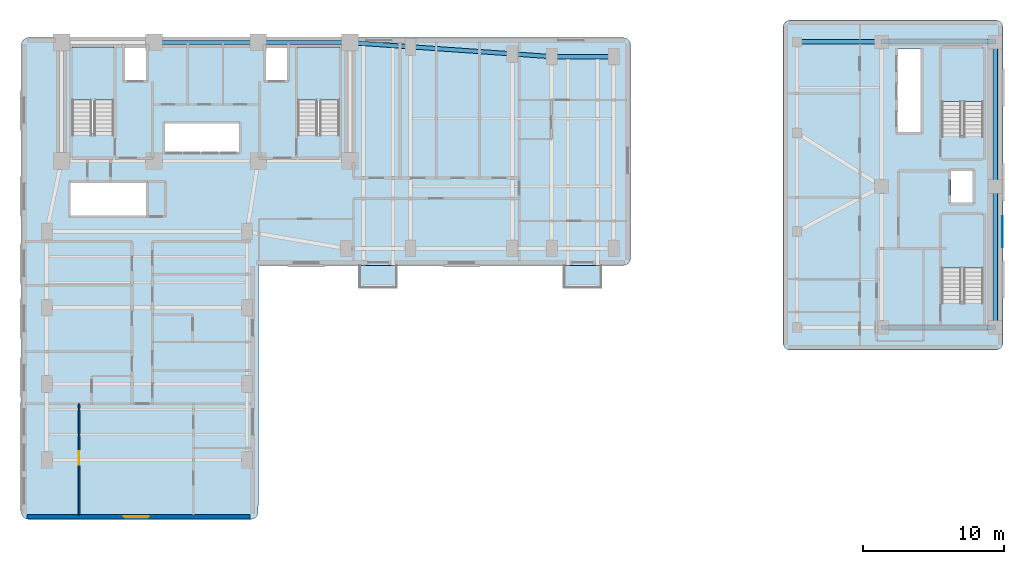
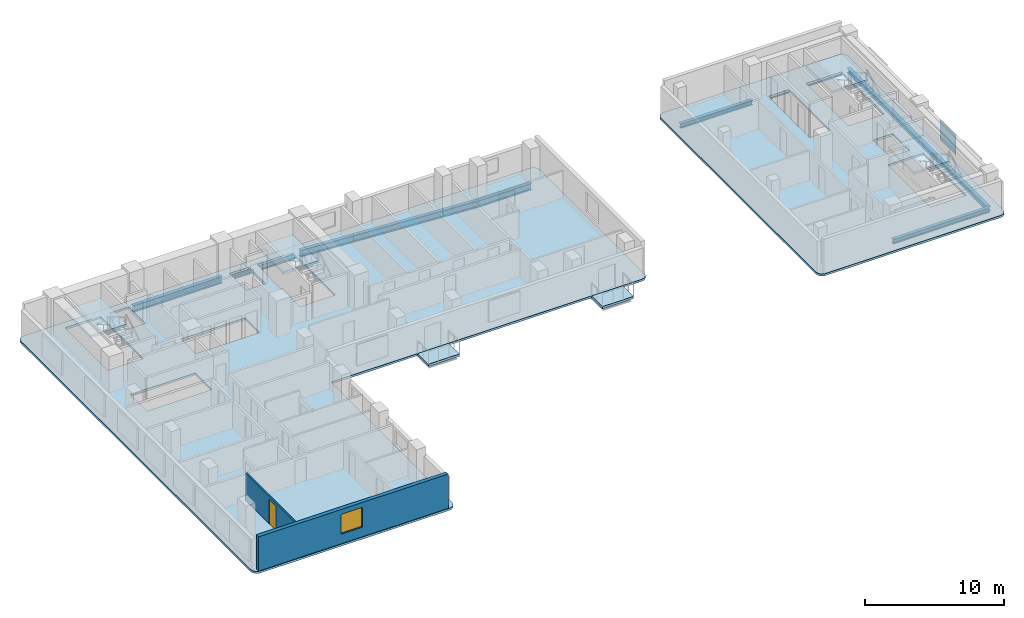
# One storey, part 2 of 10: 11 beams, 8 slabs, 2 walls, 1 door, 1 plate, 1 window, 2 openings, 4 elements without a shape of their own.
"""IFC4 building model written with IfcOpenShell, lengths in metres."""

from ifc_helpers import new_model, si_unit, direction, frame, frame_2d, origin, origin_2d, place, context, subcontext, project, spatial, polyline, rectangle, i_section, outline, extrude, material, layer, layer_set, material_profile, profile_set, type_object, element, fill, aggregate, save


model = new_model("IFC4")

# Units and contexts
model_context = context("Model", 3, precision=1e-05, world=origin(), true_north=direction((0.0, 1.0)))
body_context = subcontext(model_context, "Body", "Model", "MODEL_VIEW")
ifc_project = project(units=[si_unit("LENGTHUNIT", "METRE"), si_unit("AREAUNIT", "SQUARE_METRE"), si_unit("VOLUMEUNIT", "CUBIC_METRE"), si_unit("PLANEANGLEUNIT", "RADIAN"), si_unit("MASSUNIT", "GRAM", prefix="KILO")], contexts=[model_context])

# Site, building, storey
site_placement = place(None, origin())
site = spatial("IfcSite", under=ifc_project, at=site_placement, CompositionType="ELEMENT")
building_placement = place(site_placement, origin())
building = spatial("IfcBuilding", under=site, at=building_placement, Name="Kuzgunbayir Cultural Tower", CompositionType="ELEMENT")
storey_placement = place(building_placement, frame((0.0, 0.0, 93.0)))
storey = spatial("IfcBuildingStorey", under=building, at=storey_placement, Name="L26", CompositionType="ELEMENT", Elevation=93.0)

# Beams
ifc_material_1 = material(Name="Steel S355J2", Category="steel")
ifc_material_profile_1 = material_profile(ifc_material_1, i_section(OverallWidth=0.300048828125, OverallDepth=0.60009765625, WebThickness=0.015380859375, FlangeThickness=0.030029296875, FilletRadius=0.027099609375, at=origin_2d()), Name="HEB 600")
ifc_profile_set_1 = profile_set([ifc_material_profile_1], Name="Steel S355J2")
beam_type_1 = type_object("IfcBeamType", Name="BM-EXT-HEB600", PredefinedType="BEAM", material=ifc_profile_set_1)
beam_1_placement = place(storey_placement, frame((26.89990234375, 42.199951171875, -0.47998046875), z_axis=(0.997574369175, -0.069608749203, 0.0), x_axis=(0.069608749203, 0.997574369175, 0.0)))
element("IfcBeam", 1, at=beam_1_placement, inside=storey, type_object=beam_type_1, Name="L26 Wing B North Girder 1", PredefinedType="BEAM", context=body_context, shape_type="SweptSolid", body=[
    extrude(i_section(OverallWidth=0.300048828125, OverallDepth=0.60009765625, WebThickness=0.015380859375, FlangeThickness=0.030029296875, FilletRadius=0.027099609375, at=origin_2d()), origin(), (0.0, 0.0, 1.0), 4.310546875),
])
beam_2_placement = place(storey_placement, frame((31.199951171875, 41.89990234375, -0.47998046875), z_axis=(0.997597388498, -0.069278066245, 0.0), x_axis=(0.069278066245, 0.997597388498, 0.0)))
element("IfcBeam", 2, at=beam_2_placement, inside=storey, type_object=beam_type_1, Name="L26 Wing B North Girder 2", PredefinedType="BEAM", context=body_context, shape_type="SweptSolid", body=[
    extrude(i_section(OverallWidth=0.300048828125, OverallDepth=0.60009765625, WebThickness=0.015380859375, FlangeThickness=0.030029296875, FilletRadius=0.027099609375, at=origin_2d()), origin(), (0.0, 0.0, 1.0), 7.21728515625),
])
beam_3_placement = place(storey_placement, frame((38.39990234375, 41.39990234375, -0.47998046875), z_axis=(0.997460024076, -0.071228508128, 0.0), x_axis=(0.071228508128, 0.997460024076, 0.0)))
element("IfcBeam", 3, at=beam_3_placement, inside=storey, type_object=beam_type_1, Name="L26 Wing B North Girder 3", PredefinedType="BEAM", context=body_context, shape_type="SweptSolid", body=[
    extrude(i_section(OverallWidth=0.300048828125, OverallDepth=0.60009765625, WebThickness=0.015380859375, FlangeThickness=0.030029296875, FilletRadius=0.027099609375, at=origin_2d()), origin(), (0.0, 0.0, 1.0), 2.80712890625),
])
beam_4_placement = place(storey_placement, frame((41.199951171875, 41.199951171875, -0.47998046875), z_axis=(1.0, 0.0, 0.0), x_axis=(0.0, 1.0, 0.0)))
element("IfcBeam", 4, at=beam_4_placement, inside=storey, type_object=beam_type_1, Name="L26 Wing B North Girder 4", PredefinedType="BEAM", context=body_context, shape_type="SweptSolid", body=[
    extrude(i_section(OverallWidth=0.300048828125, OverallDepth=0.60009765625, WebThickness=0.015380859375, FlangeThickness=0.030029296875, FilletRadius=0.027099609375, at=origin_2d()), origin(), (0.0, 0.0, 1.0), 4.400146484375),
])
ifc_material_profile_2 = material_profile(ifc_material_1, i_section(OverallWidth=0.300048828125, OverallDepth=0.39990234375, WebThickness=0.013427734375, FlangeThickness=0.02392578125, FilletRadius=0.027099609375, at=origin_2d()), Name="HEB 400")
ifc_profile_set_2 = profile_set([ifc_material_profile_2], Name="Steel S355J2")
beam_type_2 = type_object("IfcBeamType", Name="BM-GIR-HEB400", PredefinedType="BEAM", material=ifc_profile_set_2)
beam_5_placement = place(storey_placement, frame((58.60009765625, 42.25, -0.3798828125), z_axis=(1.0, 0.0, 0.0), x_axis=(0.0, 1.0, 0.0)))
element("IfcBeam", 5, at=beam_5_placement, inside=storey, type_object=beam_type_2, Name="L26 Companion Transverse Girder 4", PredefinedType="BEAM", context=body_context, shape_type="SweptSolid", body=[
    extrude(i_section(OverallWidth=0.300048828125, OverallDepth=0.39990234375, WebThickness=0.013427734375, FlangeThickness=0.02392578125, FilletRadius=0.027099609375, at=origin_2d()), origin(), (0.0, 0.0, 1.0), 6.0),
])
beam_6_placement = place(storey_placement, frame((72.64990234375, 22.0, -0.3798828125), z_axis=(0.0, 1.0, 0.0), x_axis=(-1.0, 0.0, 0.0)))
element("IfcBeam", 6, at=beam_6_placement, inside=storey, type_object=beam_type_2, Name="L26 Companion Core East Girder 1", PredefinedType="BEAM", context=body_context, shape_type="SweptSolid", body=[
    extrude(i_section(OverallWidth=0.300048828125, OverallDepth=0.39990234375, WebThickness=0.013427734375, FlangeThickness=0.02392578125, FilletRadius=0.027099609375, at=origin_2d()), origin(), (0.0, 0.0, 1.0), 10.0),
])
beam_7_placement = place(storey_placement, frame((72.64990234375, 32.0, -0.3798828125), z_axis=(0.0, 1.0, 0.0), x_axis=(-1.0, 0.0, 0.0)))
element("IfcBeam", 7, at=beam_7_placement, inside=storey, type_object=beam_type_2, Name="L26 Companion Core East Girder 2", PredefinedType="BEAM", context=body_context, shape_type="SweptSolid", body=[
    extrude(i_section(OverallWidth=0.300048828125, OverallDepth=0.39990234375, WebThickness=0.013427734375, FlangeThickness=0.02392578125, FilletRadius=0.027099609375, at=origin_2d()), origin(), (0.0, 0.0, 1.0), 10.25),
])
for number, where, z_axis, x_axis, name in (
    (8, (64.60009765625, 22.0, -0.3798828125), (1.0, 0.0, 0.0), (0.0, 1.0, 0.0), "L26 Companion Core South Girder"),
    (9, (64.60009765625, 42.25, -0.3798828125), (1.0, 0.0, 0.0), (0.0, 1.0, 0.0), "L26 Companion Core North Girder"),
):
    element("IfcBeam", number, at=place(storey_placement, frame(where, z_axis=z_axis, x_axis=x_axis)), inside=storey, type_object=beam_type_2, Name=name, PredefinedType="BEAM", context=body_context, shape_type="SweptSolid", body=[
        extrude(i_section(OverallWidth=0.300048828125, OverallDepth=0.39990234375, WebThickness=0.013427734375, FlangeThickness=0.02392578125, FilletRadius=0.027099609375, at=origin_2d()), origin(), (0.0, 0.0, 1.0), 8.0498046875),
    ])
ifc_material_profile_3 = material_profile(ifc_material_1, i_section(OverallWidth=0.300048828125, OverallDepth=0.60009765625, WebThickness=0.015380859375, FlangeThickness=0.030029296875, FilletRadius=0.027099609375, at=origin_2d()), Name="HEB 600")
ifc_profile_set_3 = profile_set([ifc_material_profile_3], Name="Steel S355J2")
beam_type_3 = type_object("IfcBeamType", Name="BM-GIR-HEB600", PredefinedType="BEAM", material=ifc_profile_set_3)
beam_8_placement = place(storey_placement, frame((13.0, 42.199951171875, -0.47998046875), z_axis=(1.0, 0.0, 0.0), x_axis=(0.0, 1.0, 0.0)))
element("IfcBeam", 10, at=beam_8_placement, inside=storey, type_object=beam_type_3, Name="L26 Core North Girder 2", PredefinedType="BEAM", context=body_context, shape_type="SweptSolid", body=[
    extrude(i_section(OverallWidth=0.300048828125, OverallDepth=0.60009765625, WebThickness=0.015380859375, FlangeThickness=0.030029296875, FilletRadius=0.027099609375, at=origin_2d()), origin(), (0.0, 0.0, 1.0), 7.39990234375),
])
beam_9_placement = place(storey_placement, frame((20.39990234375, 42.199951171875, -0.47998046875), z_axis=(1.0, 0.0, 0.0), x_axis=(0.0, 1.0, 0.0)))
element("IfcBeam", 11, at=beam_9_placement, inside=storey, type_object=beam_type_3, Name="L26 Core North Girder 3", PredefinedType="BEAM", context=body_context, shape_type="SweptSolid", body=[
    extrude(i_section(OverallWidth=0.300048828125, OverallDepth=0.60009765625, WebThickness=0.015380859375, FlangeThickness=0.030029296875, FilletRadius=0.027099609375, at=origin_2d()), origin(), (0.0, 0.0, 1.0), 6.5),
])

# Plate
ifc_material_2 = material(Name="Perforated Bronze-Anodised Aluminium", Category="aluminium")
ifc_layer_1 = layer(ifc_material_2, 0.02392578125)
ifc_layer_set_1 = layer_set([ifc_layer_1], Name="Perforated Bronze-Anodised Aluminium")
plate_type = type_object("IfcPlateType", Name="PLT-SOLAR-SCREEN-14", PredefinedType="SHEET", material=ifc_layer_set_1)
plate_placement = place(storey_placement, frame((73.159912109375, 28.800048828125, 0.75), z_axis=(0.0, 0.0, 1.0), x_axis=(1.0, 0.0, 0.0)))
element("IfcPlate", 12, at=plate_placement, inside=storey, type_object=plate_type, Name="L26 Companion Perforated Ceramic Solar Screen Panel", PredefinedType="SHEET", context=body_context, shape_type="SweptSolid", body=[
    extrude(rectangle(XDim=0.02392578125, YDim=2.199951171875, at=origin_2d()), origin(), (0.0, 0.0, 1.0), 1.800048828125),
])

# Slabs
ifc_material_3 = material(Name="Concrete C40/50", Category="concrete")
ifc_layer_2 = layer(ifc_material_3, 0.199951171875)
ifc_layer_set_2 = layer_set([ifc_layer_2], Name="Concrete C40/50")
slab_type_1 = type_object("IfcSlabType", Name="SLB-BAL-STONE", PredefinedType="FLOOR", material=ifc_layer_set_2)
slab_1_placement = place(storey_placement, frame((0.0, 0.0, -0.199951171875)))
element("IfcSlab", 13, at=slab_1_placement, inside=storey, type_object=slab_type_1, Name="L26 Projecting Limestone Balcony BAL-L26-WB1", PredefinedType="FLOOR", context=body_context, shape_type="SweptSolid", body=[
    extrude(outline(polyline([(27.60009765625, 24.840087890625), (30.199951171875, 24.840087890625), (30.199951171875, 26.39990234375), (27.60009765625, 26.39990234375), (27.60009765625, 24.840087890625)])), origin(), (0.0, 0.0, 1.0), 0.199951171875),
])
slab_2_placement = place(storey_placement, frame((0.0, 0.0, -0.199951171875)))
element("IfcSlab", 14, at=slab_2_placement, inside=storey, type_object=slab_type_1, Name="L26 Projecting Limestone Balcony BAL-L26-WB3", PredefinedType="FLOOR", context=body_context, shape_type="SweptSolid", body=[
    extrude(outline(polyline([(42.10009765625, 24.840087890625), (44.699951171875, 24.840087890625), (44.699951171875, 26.39990234375), (42.10009765625, 26.39990234375), (42.10009765625, 24.840087890625)])), origin(), (0.0, 0.0, 1.0), 0.199951171875),
])

# Stair, slab
stair_type = type_object("IfcStairType", Name="STR-EXIT-CORE", PredefinedType="HALF_TURN_STAIR", material=ifc_material_3)
stair_1_placement = place(storey_placement, origin())
stair_1 = element("IfcStair", 15, at=stair_1_placement, inside=storey, type_object=stair_type, Name="L26 ST-1", PredefinedType="HALF_TURN_STAIR")
ifc_layer_3 = layer(ifc_material_3, 0.179931640625)
ifc_layer_set_3 = layer_set([ifc_layer_3], Name="Concrete C40/50")
slab_type_2 = type_object("IfcSlabType", Name="SLB-LANDING-180", PredefinedType="LANDING", material=ifc_layer_set_3)
slab_3_placement = place(storey_placement, frame((0.0, 0.0, 1.39990234375)))
slab_3 = element("IfcSlab", 16, at=slab_3_placement, type_object=slab_type_2, Name="ST-1 landing 1", PredefinedType="LANDING", context=body_context, shape_type="SweptSolid", body=[
    extrude(outline(polyline([(10.159912109375, 38.1201171875), (10.159912109375, 41.89990234375), (7.199951171875, 41.89990234375), (7.199951171875, 38.1201171875), (10.159912109375, 38.1201171875)])), origin(), (0.0, 0.0, 1.0), 0.2001953125),
])
aggregate(stair_1, [slab_3])

stair_2_placement = place(storey_placement, origin())
stair_2 = element("IfcStair", 17, at=stair_2_placement, inside=storey, type_object=stair_type, Name="L26 ST-2", PredefinedType="HALF_TURN_STAIR")
slab_4_placement = place(storey_placement, frame((0.0, 0.0, 1.39990234375)))
slab_4 = element("IfcSlab", 18, at=slab_4_placement, type_object=slab_type_2, Name="ST-2 landing 1", PredefinedType="LANDING", context=body_context, shape_type="SweptSolid", body=[
    extrude(outline(polyline([(26.159912109375, 38.1201171875), (26.159912109375, 41.89990234375), (23.199951171875, 41.89990234375), (23.199951171875, 38.1201171875), (26.159912109375, 38.1201171875)])), origin(), (0.0, 0.0, 1.0), 0.2001953125),
])
aggregate(stair_2, [slab_4])

stair_3_placement = place(storey_placement, origin())
stair_3 = element("IfcStair", 19, at=stair_3_placement, inside=storey, type_object=stair_type, Name="L26 ST-3", PredefinedType="HALF_TURN_STAIR")
slab_5_placement = place(storey_placement, frame((0.0, 0.0, 1.39990234375)))
slab_5 = element("IfcSlab", 20, at=slab_5_placement, type_object=slab_type_2, Name="ST-3 landing 1", PredefinedType="LANDING", context=body_context, shape_type="SweptSolid", body=[
    extrude(outline(polyline([(71.800048828125, 26.219970703125), (71.800048828125, 30.0), (68.840087890625, 30.0), (68.840087890625, 26.219970703125), (71.800048828125, 26.219970703125)])), origin(), (0.0, 0.0, 1.0), 0.2001953125),
])
aggregate(stair_3, [slab_5])

stair_4_placement = place(storey_placement, origin())
stair_4 = element("IfcStair", 21, at=stair_4_placement, inside=storey, type_object=stair_type, Name="L26 ST-4", PredefinedType="HALF_TURN_STAIR")
slab_6_placement = place(storey_placement, frame((0.0, 0.0, 1.39990234375)))
slab_6 = element("IfcSlab", 22, at=slab_6_placement, type_object=slab_type_2, Name="ST-4 landing 1", PredefinedType="LANDING", context=body_context, shape_type="SweptSolid", body=[
    extrude(outline(polyline([(71.800048828125, 38.02001953125), (71.800048828125, 41.800048828125), (68.840087890625, 41.800048828125), (68.840087890625, 38.02001953125), (71.800048828125, 38.02001953125)])), origin(), (0.0, 0.0, 1.0), 0.2001953125),
])
aggregate(stair_4, [slab_6])

# Slabs
ifc_layer_4 = layer(ifc_material_3, 0.179931640625)
ifc_layer_set_4 = layer_set([ifc_layer_4], Name="Concrete C40/50")
slab_type_3 = type_object("IfcSlabType", Name="SLB-TYP-180", PredefinedType="FLOOR", material=ifc_layer_set_4)
slab_7_placement = place(storey_placement, frame((0.0, 0.0, -0.179931640625)))
element("IfcSlab", 23, at=slab_7_placement, inside=storey, type_object=slab_type_3, Name="L26 Tower 1 Floor Slab T1-MAIN", PredefinedType="FLOOR", context=body_context, shape_type="SweptSolid", body=[
    extrude(outline(polyline([(20.39990234375, 8.949951171875), (20.389892578125, 8.840087890625), (20.360107421875, 8.739990234375), (20.31005859375, 8.639892578125), (20.239990234375, 8.56005859375), (20.159912109375, 8.489990234375), (20.06005859375, 8.43994140625), (19.9599609375, 8.409912109375), (19.85009765625, 8.39990234375), (4.14990234375, 8.39990234375), (4.0400390625, 8.409912109375), (3.93994140625, 8.43994140625), (3.840087890625, 8.489990234375), (3.760009765625, 8.56005859375), (3.68994140625, 8.639892578125), (3.639892578125, 8.739990234375), (3.610107421875, 8.840087890625), (3.60009765625, 8.949951171875), (3.60009765625, 42.0), (3.610107421875, 42.110107421875), (3.639892578125, 42.2099609375), (3.68994140625, 42.31005859375), (3.760009765625, 42.389892578125), (3.840087890625, 42.4599609375), (3.93994140625, 42.510009765625), (4.0400390625, 42.5400390625), (4.14990234375, 42.550048828125), (46.25, 42.550048828125), (46.360107421875, 42.5400390625), (46.4599609375, 42.510009765625), (46.56005859375, 42.4599609375), (46.639892578125, 42.389892578125), (46.7099609375, 42.31005859375), (46.760009765625, 42.2099609375), (46.7900390625, 42.110107421875), (46.800048828125, 42.0), (46.800048828125, 26.949951171875), (46.7900390625, 26.840087890625), (46.760009765625, 26.739990234375), (46.7099609375, 26.639892578125), (46.639892578125, 26.56005859375), (46.56005859375, 26.489990234375), (46.4599609375, 26.43994140625), (46.360107421875, 26.409912109375), (46.25, 26.39990234375), (20.429931640625, 26.39990234375), (20.39990234375, 8.949951171875)]), holes=[polyline([(7.199951171875, 35.760009765625), (7.199951171875, 41.89990234375), (10.159912109375, 41.89990234375), (10.159912109375, 35.760009765625), (7.199951171875, 35.760009765625)]), polyline([(23.199951171875, 35.760009765625), (23.199951171875, 41.89990234375), (26.159912109375, 41.89990234375), (26.159912109375, 35.760009765625), (23.199951171875, 35.760009765625)]), polyline([(13.75, 34.39990234375), (13.75, 36.5), (19.080078125, 36.5), (19.080078125, 34.39990234375), (13.75, 34.39990234375)]), polyline([(7.10009765625, 29.89990234375), (7.10009765625, 32.300048828125), (12.5, 32.300048828125), (12.5, 29.89990234375), (7.10009765625, 29.89990234375)]), polyline([(10.89990234375, 39.5), (10.89990234375, 41.89990234375), (12.5, 41.89990234375), (12.5, 39.5), (10.89990234375, 39.5)]), polyline([(20.89990234375, 39.5), (20.89990234375, 41.89990234375), (22.5, 41.89990234375), (22.5, 39.5), (20.89990234375, 39.5)])]), origin(), (0.0, 0.0, 1.0), 0.179931640625),
])
slab_8_placement = place(storey_placement, frame((0.0, 0.0, -0.179931640625)))
element("IfcSlab", 24, at=slab_8_placement, inside=storey, type_object=slab_type_3, Name="L26 Companion Tower 2 Floor Slab", PredefinedType="FLOOR", context=body_context, shape_type="SweptSolid", body=[
    extrude(outline(polyline([(72.64990234375, 20.39990234375), (72.760009765625, 20.409912109375), (72.860107421875, 20.43994140625), (72.9599609375, 20.489990234375), (73.0400390625, 20.56005859375), (73.110107421875, 20.639892578125), (73.159912109375, 20.739990234375), (73.18994140625, 20.840087890625), (73.199951171875, 20.949951171875), (73.199951171875, 43.25), (73.18994140625, 43.360107421875), (73.159912109375, 43.4599609375), (73.110107421875, 43.56005859375), (73.0400390625, 43.639892578125), (72.9599609375, 43.7099609375), (72.860107421875, 43.760009765625), (72.760009765625, 43.7900390625), (72.64990234375, 43.800048828125), (58.14990234375, 43.800048828125), (58.0400390625, 43.7900390625), (57.93994140625, 43.760009765625), (57.840087890625, 43.7099609375), (57.760009765625, 43.639892578125), (57.68994140625, 43.56005859375), (57.639892578125, 43.4599609375), (57.610107421875, 43.360107421875), (57.60009765625, 43.25), (57.60009765625, 20.949951171875), (57.610107421875, 20.840087890625), (57.639892578125, 20.739990234375), (57.68994140625, 20.639892578125), (57.760009765625, 20.56005859375), (57.840087890625, 20.489990234375), (57.93994140625, 20.43994140625), (58.0400390625, 20.409912109375), (58.14990234375, 20.39990234375), (72.64990234375, 20.39990234375)]), holes=[polyline([(68.840087890625, 23.860107421875), (68.840087890625, 30.0), (71.800048828125, 30.0), (71.800048828125, 23.860107421875), (68.840087890625, 23.860107421875)]), polyline([(68.840087890625, 35.659912109375), (68.840087890625, 41.800048828125), (71.800048828125, 41.800048828125), (71.800048828125, 35.659912109375), (68.840087890625, 35.659912109375)]), polyline([(65.699951171875, 35.800048828125), (65.699951171875, 41.75), (67.39990234375, 41.75), (67.39990234375, 35.800048828125), (65.699951171875, 35.800048828125)]), polyline([(69.5, 30.800048828125), (69.5, 33.199951171875), (71.10009765625, 33.199951171875), (71.10009765625, 30.800048828125), (69.5, 30.800048828125)])]), origin(), (0.0, 0.0, 1.0), 0.179931640625),
])

# Wall, opening, window
ifc_material_4 = material(Name="Travertine Buff Ashlar", Category="masonry")
ifc_layer_5 = layer(ifc_material_4, 0.320068359375)
ifc_layer_set_5 = layer_set([ifc_layer_5], Name="Travertine Buff Ashlar")
wall_type_1 = type_object("IfcWallType", Name="WAL-EXT-STONE-320", PredefinedType="STANDARD", material=ifc_layer_set_5)
wall_1_placement = place(storey_placement, frame((4.0, 8.60009765625, 0.0), z_axis=(0.0, 0.0, 1.0), x_axis=(1.0, 0.0, 0.0)))
wall_1 = element("IfcWall", 25, at=wall_1_placement, inside=storey, type_object=wall_type_1, Name="L26 Wing A South Limestone Wall", PredefinedType="STANDARD", context=body_context, shape_type="SweptSolid", body=[
    extrude(rectangle(XDim=15.800048828125, YDim=0.320068359375, at=frame_2d((7.89990234375, 0.0))), origin(), (0.0, 0.0, 1.0), 3.02001953125),
])
opening_1_placement = place(wall_1_placement, frame((6.85009765625, 0.0, 0.85009765625)))
opening_1 = element("IfcOpeningElement", 26, at=opening_1_placement, cuts=wall_1, Name="Opening WH-18", PredefinedType="OPENING", context=body_context, shape_type="SweptSolid", body=[
    extrude(rectangle(XDim=1.800048828125, YDim=1.75, at=frame_2d((0.89990234375, 0.875))), frame((0.0, 0.169921875, 0.0), z_axis=(0.0, -1.0, 0.0), x_axis=(1.0, 0.0, 0.0)), (0.0, 0.0, 1.0), 0.340087890625),
])
ifc_material_5 = material(Name="Solar-Control Triple Glazing", Category="glass")
window_type = type_object("IfcWindowType", Name="WIN-HOTEL-18", PartitioningType="SINGLE_PANEL", PredefinedType="WINDOW", material=ifc_material_5)
window_placement = place(opening_1_placement, origin())
window = element("IfcWindow", 27, at=window_placement, inside=storey, type_object=window_type, Name="L26 WAS Facade Window 6", OverallHeight=1.75, OverallWidth=1.800048828125, PartitioningType="SINGLE_PANEL", PredefinedType="WINDOW", context=body_context, shape_type="SweptSolid", body=[
    extrude(rectangle(XDim=1.800048828125, YDim=1.75, at=frame_2d((0.89990234375, 0.875))), frame((0.0, 0.030029296875, 0.0), z_axis=(0.0, -1.0, 0.0), x_axis=(1.0, 0.0, 0.0)), (0.0, 0.0, 1.0), 0.06005859375),
])
fill(opening_1, window)

# Wall, opening, door
ifc_material_6 = material(Name="Framed Gypsum Partition", Category="gypsum")
ifc_layer_6 = layer(ifc_material_6, 0.1201171875)
ifc_layer_set_6 = layer_set([ifc_layer_6], Name="Framed Gypsum Partition")
wall_type_2 = type_object("IfcWallType", Name="WAL-PART-INT-120", PredefinedType="PARTITIONING", material=ifc_layer_set_6)
wall_2_placement = place(storey_placement, frame((7.699951171875, 8.699951171875, 0.0), z_axis=(0.0, 0.0, 1.0), x_axis=(0.0, 1.0, 0.0)))
wall_2 = element("IfcWall", 28, at=wall_2_placement, inside=storey, type_object=wall_type_2, Name="L26 Diplomatic Suite Bedroom Wall", PredefinedType="PARTITIONING", context=body_context, shape_type="SweptSolid", body=[
    extrude(rectangle(XDim=7.900146484375, YDim=0.1201171875, at=frame_2d((3.9501953125, 0.0))), origin(), (0.0, 0.0, 1.0), 2.409912109375),
])
opening_2_placement = place(wall_2_placement, frame((3.56005859375, 0.0, 0.0)))
opening_2 = element("IfcOpeningElement", 29, at=opening_2_placement, cuts=wall_2, Name="Opening DI-90", PredefinedType="OPENING", context=body_context, shape_type="SweptSolid", body=[
    extrude(rectangle(XDim=0.949951171875, YDim=2.14990234375, at=frame_2d((0.47509765625, 1.074951171875))), frame((0.0, 0.070068359375, 0.0), z_axis=(0.0, -1.0, 0.0), x_axis=(1.0, 0.0, 0.0)), (0.0, 0.0, 1.0), 0.14013671875),
])
ifc_material_7 = material(Name="Veneered Oak Single Leaf", Category="wood")
door_type = type_object("IfcDoorType", Name="DR-INT-90", OperationType="NOTDEFINED", PredefinedType="DOOR", material=ifc_material_7)
door_placement = place(opening_2_placement, origin())
door = element("IfcDoor", 30, at=door_placement, inside=storey, type_object=door_type, Name="L26 Diplomatic Bedroom Door", OperationType="SINGLE_SWING_LEFT", OverallHeight=2.14990234375, OverallWidth=0.949951171875, PredefinedType="DOOR", context=body_context, shape_type="SweptSolid", body=[
    extrude(rectangle(XDim=0.949951171875, YDim=2.14990234375, at=frame_2d((0.47509765625, 1.074951171875))), frame((0.0, 0.02490234375, 0.0), z_axis=(0.0, -1.0, 0.0), x_axis=(1.0, 0.0, 0.0)), (0.0, 0.0, 1.0), 0.050048828125),
])
fill(opening_2, door)

save(model, "model.ifc")
